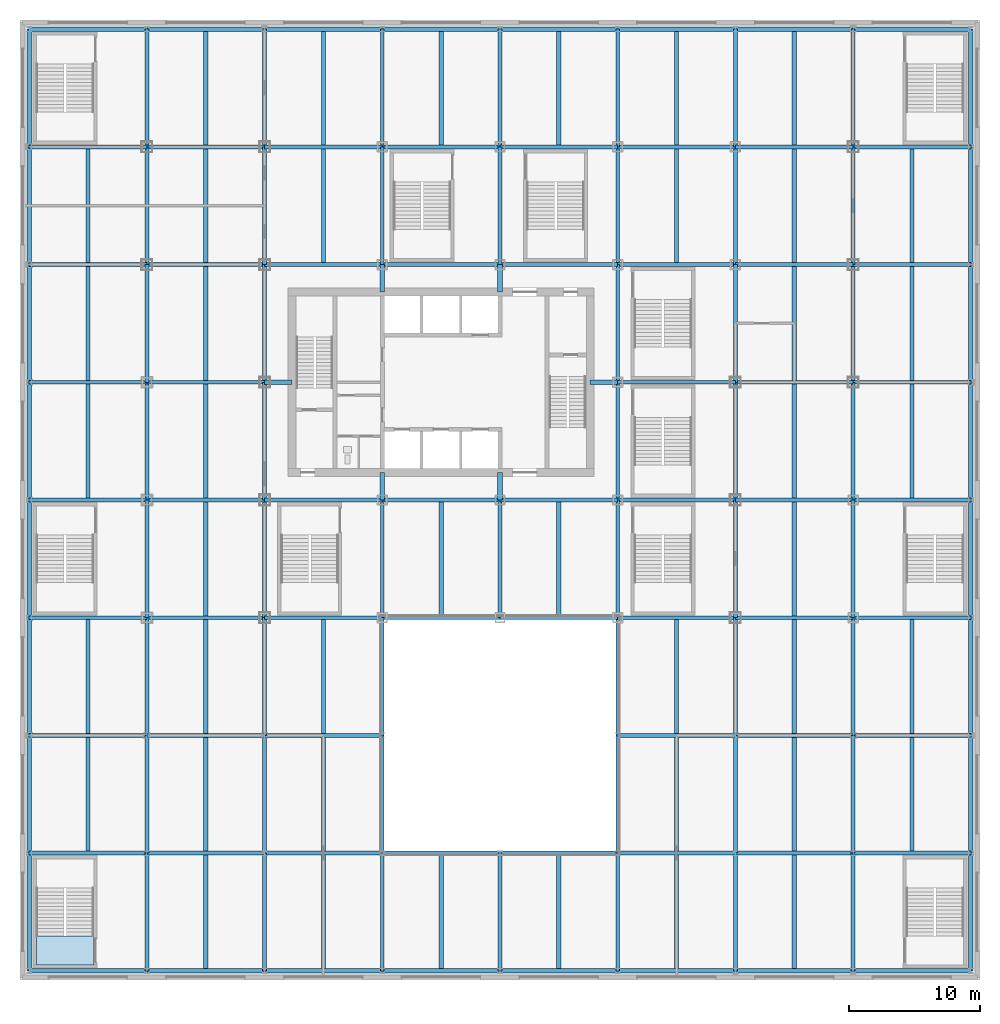
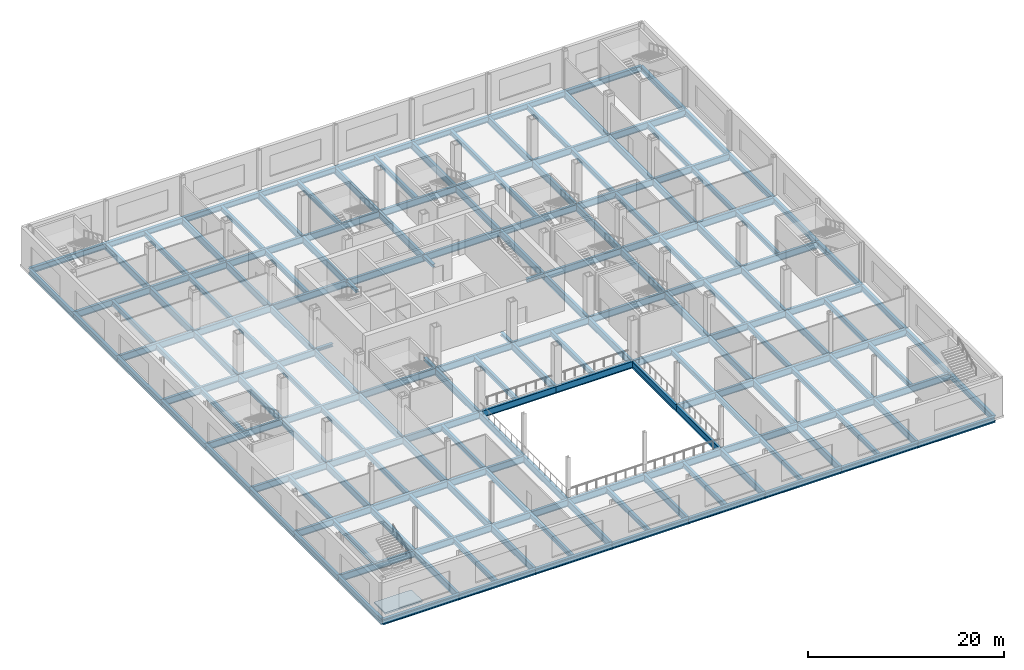
# One storey, part 9 of 28: 175 beams, 6 members, 1 slab, 1 element without a shape of its own.
"""IFC4 building model written with IfcOpenShell, lengths in metres."""

from ifc_helpers import new_model, si_unit, direction, frame, origin, origin_2d, place, context, subcontext, project, spatial, polyline, i_section, outline, extrude, material, layer, layer_set, material_profile, profile_set, type_object, element, aggregate, save


model = new_model("IFC4")

# Units and contexts
model_context = context("Model", 3, precision=1e-05, world=origin(), true_north=direction((0.0, 1.0)))
body_context = subcontext(model_context, "Body", "Model", "MODEL_VIEW")
ifc_project = project(units=[si_unit("LENGTHUNIT", "METRE"), si_unit("AREAUNIT", "SQUARE_METRE"), si_unit("VOLUMEUNIT", "CUBIC_METRE"), si_unit("PLANEANGLEUNIT", "RADIAN"), si_unit("MASSUNIT", "GRAM", prefix="KILO")], contexts=[model_context])

# Site, building, storey
site_placement = place(None, origin())
site = spatial("IfcSite", under=ifc_project, at=site_placement, CompositionType="ELEMENT")
building_placement = place(site_placement, origin())
building = spatial("IfcBuilding", under=site, at=building_placement, Name="Loomwork Tower", CompositionType="ELEMENT")
storey_placement = place(building_placement, frame((0.0, 0.0, 6.0)))
storey = spatial("IfcBuildingStorey", under=building, at=storey_placement, Name="L01", CompositionType="ELEMENT", Elevation=6.0)

# Members
ifc_material_1 = material(Name="Steel ASTM A992", Category="steel")
ifc_material_profile_1 = material_profile(ifc_material_1, i_section(OverallWidth=0.373291015625, OverallDepth=0.373291015625, WebThickness=0.016357421875, FlangeThickness=0.026123046875, at=origin_2d()), Name="W14x132")
ifc_profile_set_1 = profile_set([ifc_material_profile_1], Name="Steel ASTM A992")
member_type = type_object("IfcMemberType", Name="CORE LINK STRUT W14x132", PredefinedType="STRUT", material=ifc_profile_set_1)
for number, where, z_axis, x_axis, name in (
    (1, (36.0, 18.0, -0.436767578125), (-1.0, 0.0, 0.0), (0.0, -1.0, 0.0), "Core link strut F/6-33.900,18.000 L01"),
    (2, (18.0, 9.0, -0.436767578125), (0.0, 1.0, 0.0), (-1.0, 0.0, 0.0), "Core link strut E/4-18.000,11.100 L01"),
    (3, (18.0, 27.0, -0.436767578125), (0.0, -1.0, 0.0), (1.0, 0.0, 0.0), "Core link strut G/4-18.000,24.900 L01"),
    (4, (9.0, 18.0, -0.436767578125), (1.0, 0.0, 0.0), (0.0, 1.0, 0.0), "Core link strut F/3-11.100,18.000 L01"),
    (5, (27.0, 9.0, -0.436767578125), (0.0, 1.0, 0.0), (-1.0, 0.0, 0.0), "Core link strut E/5-27.000,11.100 L01"),
    (6, (27.0, 27.0, -0.436767578125), (0.0, -1.0, 0.0), (1.0, 0.0, 0.0), "Core link strut G/5-27.000,24.900 L01"),
):
    element("IfcMember", number, at=place(storey_placement, frame(where, z_axis=z_axis, x_axis=x_axis)), inside=storey, type_object=member_type, Name=name, PredefinedType="STRUT", context=body_context, shape_type="SweptSolid", body=[
        extrude(i_section(OverallWidth=0.373291015625, OverallDepth=0.373291015625, WebThickness=0.016357421875, FlangeThickness=0.026123046875, at=origin_2d()), origin(), (0.0, 0.0, 1.0), 2.10009765625),
    ])

# Beams
ifc_material_2 = material(Name="Steel ASTM A992", Category="steel")
ifc_material_profile_2 = material_profile(ifc_material_2, i_section(OverallWidth=0.355712890625, OverallDepth=0.696044921875, WebThickness=0.015380859375, FlangeThickness=0.024658203125, at=origin_2d()), Name="W27x146")
ifc_profile_set_2 = profile_set([ifc_material_profile_2], Name="Steel ASTM A992")
beam_type_1 = type_object("IfcBeamType", Name="EDGE GIRDER W27x146", PredefinedType="BEAM", material=ifc_profile_set_2)
for number, where, z_axis, x_axis, name in (
    (7, (-9.0, -27.0, -0.597900390625), (1.0, 0.0, 0.0), (0.0, 1.0, 0.0), "Edge Girder A/1-A/2 L01"),
    (8, (0.0, -27.0, -0.597900390625), (1.0, 0.0, 0.0), (0.0, 1.0, 0.0), "Edge Girder A/2-A/3 L01"),
    (9, (9.0, -27.0, -0.597900390625), (1.0, 0.0, 0.0), (0.0, 1.0, 0.0), "Edge Girder A/3-A/4 L01"),
    (10, (18.0, -27.0, -0.597900390625), (1.0, 0.0, 0.0), (0.0, 1.0, 0.0), "Edge Girder A/4-A/5 L01"),
    (11, (27.0, -27.0, -0.597900390625), (1.0, 0.0, 0.0), (0.0, 1.0, 0.0), "Edge Girder A/5-A/6 L01"),
    (12, (36.0, -27.0, -0.597900390625), (1.0, 0.0, 0.0), (0.0, 1.0, 0.0), "Edge Girder A/6-A/7 L01"),
    (13, (45.0, -27.0, -0.597900390625), (1.0, 0.0, 0.0), (0.0, 1.0, 0.0), "Edge Girder A/7-A/8 L01"),
    (14, (54.0, -27.0, -0.597900390625), (1.0, 0.0, 0.0), (0.0, 1.0, 0.0), "Edge Girder A/8-A/9 L01"),
    (15, (-9.0, 45.0, -0.597900390625), (1.0, 0.0, 0.0), (0.0, 1.0, 0.0), "Edge Girder J/1-J/2 L01"),
    (16, (0.0, 45.0, -0.597900390625), (1.0, 0.0, 0.0), (0.0, 1.0, 0.0), "Edge Girder J/2-J/3 L01"),
    (17, (9.0, 45.0, -0.597900390625), (1.0, 0.0, 0.0), (0.0, 1.0, 0.0), "Edge Girder J/3-J/4 L01"),
    (18, (18.0, 45.0, -0.597900390625), (1.0, 0.0, 0.0), (0.0, 1.0, 0.0), "Edge Girder J/4-J/5 L01"),
    (19, (27.0, 45.0, -0.597900390625), (1.0, 0.0, 0.0), (0.0, 1.0, 0.0), "Edge Girder J/5-J/6 L01"),
    (20, (36.0, 45.0, -0.597900390625), (1.0, 0.0, 0.0), (0.0, 1.0, 0.0), "Edge Girder J/6-J/7 L01"),
    (21, (45.0, 45.0, -0.597900390625), (1.0, 0.0, 0.0), (0.0, 1.0, 0.0), "Edge Girder J/7-J/8 L01"),
    (22, (54.0, 45.0, -0.597900390625), (1.0, 0.0, 0.0), (0.0, 1.0, 0.0), "Edge Girder J/8-J/9 L01"),
    (23, (-9.0, -27.0, -0.597900390625), (0.0, 1.0, 0.0), (-1.0, 0.0, 0.0), "Edge Girder A/1-B/1 L01"),
    (24, (-9.0, -18.0, -0.597900390625), (0.0, 1.0, 0.0), (-1.0, 0.0, 0.0), "Edge Girder B/1-C/1 L01"),
    (25, (-9.0, -9.0, -0.597900390625), (0.0, 1.0, 0.0), (-1.0, 0.0, 0.0), "Edge Girder C/1-D/1 L01"),
    (26, (-9.0, 0.0, -0.597900390625), (0.0, 1.0, 0.0), (-1.0, 0.0, 0.0), "Edge Girder D/1-E/1 L01"),
    (27, (-9.0, 9.0, -0.597900390625), (0.0, 1.0, 0.0), (-1.0, 0.0, 0.0), "Edge Girder E/1-F/1 L01"),
    (28, (-9.0, 18.0, -0.597900390625), (0.0, 1.0, 0.0), (-1.0, 0.0, 0.0), "Edge Girder F/1-G/1 L01"),
    (29, (-9.0, 27.0, -0.597900390625), (0.0, 1.0, 0.0), (-1.0, 0.0, 0.0), "Edge Girder G/1-H/1 L01"),
    (30, (-9.0, 36.0, -0.597900390625), (0.0, 1.0, 0.0), (-1.0, 0.0, 0.0), "Edge Girder H/1-J/1 L01"),
    (31, (63.0, -27.0, -0.597900390625), (0.0, 1.0, 0.0), (-1.0, 0.0, 0.0), "Edge Girder A/9-B/9 L01"),
    (32, (63.0, -18.0, -0.597900390625), (0.0, 1.0, 0.0), (-1.0, 0.0, 0.0), "Edge Girder B/9-C/9 L01"),
    (33, (63.0, -9.0, -0.597900390625), (0.0, 1.0, 0.0), (-1.0, 0.0, 0.0), "Edge Girder C/9-D/9 L01"),
    (34, (63.0, 0.0, -0.597900390625), (0.0, 1.0, 0.0), (-1.0, 0.0, 0.0), "Edge Girder D/9-E/9 L01"),
    (35, (63.0, 9.0, -0.597900390625), (0.0, 1.0, 0.0), (-1.0, 0.0, 0.0), "Edge Girder E/9-F/9 L01"),
    (36, (63.0, 18.0, -0.597900390625), (0.0, 1.0, 0.0), (-1.0, 0.0, 0.0), "Edge Girder F/9-G/9 L01"),
    (37, (63.0, 27.0, -0.597900390625), (0.0, 1.0, 0.0), (-1.0, 0.0, 0.0), "Edge Girder G/9-H/9 L01"),
    (38, (63.0, 36.0, -0.597900390625), (0.0, 1.0, 0.0), (-1.0, 0.0, 0.0), "Edge Girder H/9-J/9 L01"),
):
    element("IfcBeam", number, at=place(storey_placement, frame(where, z_axis=z_axis, x_axis=x_axis)), inside=storey, type_object=beam_type_1, Name=name, PredefinedType="BEAM", context=body_context, shape_type="SweptSolid", body=[
        extrude(i_section(OverallWidth=0.355712890625, OverallDepth=0.696044921875, WebThickness=0.015380859375, FlangeThickness=0.024658203125, at=origin_2d()), origin(), (0.0, 0.0, 1.0), 9.0),
    ])
ifc_material_3 = material(Name="Steel ASTM A992", Category="steel")
ifc_material_profile_3 = material_profile(ifc_material_3, i_section(OverallWidth=0.3251953125, OverallDepth=0.612060546875, WebThickness=0.0126953125, FlangeThickness=0.01904296875, at=origin_2d()), Name="W24x104")
ifc_profile_set_3 = profile_set([ifc_material_profile_3], Name="Steel ASTM A992")
beam_type_2 = type_object("IfcBeamType", Name="FLOOR JOIST W24x104", PredefinedType="JOIST", material=ifc_profile_set_3)
for number, where, z_axis, x_axis, name in (
    (39, (-4.5, -17.85400390625, -0.55615234375), (0.0, 1.0, 0.0), (-1.0, 0.0, 0.0), "Floor Joist -4.500,-18.000--4.500,-9.000 L01"),
    (40, (-4.5, -8.85400390625, -0.55615234375), (0.0, 1.0, 0.0), (-1.0, 0.0, 0.0), "Floor Joist -4.500,-9.000--4.500,0.000 L01"),
    (41, (-4.5, 9.14599609375, -0.55615234375), (0.0, 1.0, 0.0), (-1.0, 0.0, 0.0), "Floor Joist -4.500,9.000--4.500,18.000 L01"),
    (42, (-4.5, 18.14599609375, -0.55615234375), (0.0, 1.0, 0.0), (-1.0, 0.0, 0.0), "Floor Joist -4.500,18.000--4.500,27.000 L01"),
    (43, (-4.5, 27.14599609375, -0.55615234375), (0.0, 1.0, 0.0), (-1.0, 0.0, 0.0), "Floor Joist -4.500,27.000--4.500,36.000 L01"),
):
    element("IfcBeam", number, at=place(storey_placement, frame(where, z_axis=z_axis, x_axis=x_axis)), inside=storey, type_object=beam_type_2, Name=name, PredefinedType="JOIST", context=body_context, shape_type="SweptSolid", body=[
        extrude(i_section(OverallWidth=0.3251953125, OverallDepth=0.612060546875, WebThickness=0.0126953125, FlangeThickness=0.01904296875, at=origin_2d()), origin(), (0.0, 0.0, 1.0), 8.7080078125),
    ])
beam_1_placement = place(storey_placement, frame((4.5, -26.822998046875, -0.55615234375), z_axis=(0.0, 1.0, 0.0), x_axis=(-1.0, 0.0, 0.0)))
element("IfcBeam", 44, at=beam_1_placement, inside=storey, type_object=beam_type_2, Name="Floor Joist 4.500,-27.000-4.500,-18.000 L01", PredefinedType="JOIST", context=body_context, shape_type="SweptSolid", body=[
    extrude(i_section(OverallWidth=0.3251953125, OverallDepth=0.612060546875, WebThickness=0.0126953125, FlangeThickness=0.01904296875, at=origin_2d()), origin(), (0.0, 0.0, 1.0), 8.677001953125),
])
for number, where, z_axis, x_axis, name in (
    (45, (4.5, -17.85400390625, -0.55615234375), (0.0, 1.0, 0.0), (-1.0, 0.0, 0.0), "Floor Joist 4.500,-18.000-4.500,-9.000 L01"),
    (46, (4.5, -8.85400390625, -0.55615234375), (0.0, 1.0, 0.0), (-1.0, 0.0, 0.0), "Floor Joist 4.500,-9.000-4.500,0.000 L01"),
    (47, (4.5, 0.14599609375, -0.55615234375), (0.0, 1.0, 0.0), (-1.0, 0.0, 0.0), "Floor Joist 4.500,0.000-4.500,9.000 L01"),
    (48, (4.5, 9.14599609375, -0.55615234375), (0.0, 1.0, 0.0), (-1.0, 0.0, 0.0), "Floor Joist 4.500,9.000-4.500,18.000 L01"),
    (49, (4.5, 18.14599609375, -0.55615234375), (0.0, 1.0, 0.0), (-1.0, 0.0, 0.0), "Floor Joist 4.500,18.000-4.500,27.000 L01"),
    (50, (4.5, 27.14599609375, -0.55615234375), (0.0, 1.0, 0.0), (-1.0, 0.0, 0.0), "Floor Joist 4.500,27.000-4.500,36.000 L01"),
):
    element("IfcBeam", number, at=place(storey_placement, frame(where, z_axis=z_axis, x_axis=x_axis)), inside=storey, type_object=beam_type_2, Name=name, PredefinedType="JOIST", context=body_context, shape_type="SweptSolid", body=[
        extrude(i_section(OverallWidth=0.3251953125, OverallDepth=0.612060546875, WebThickness=0.0126953125, FlangeThickness=0.01904296875, at=origin_2d()), origin(), (0.0, 0.0, 1.0), 8.7080078125),
    ])
for number, where, z_axis, x_axis, name in (
    (51, (4.5, 36.14599609375, -0.55615234375), (0.0, 1.0, 0.0), (-1.0, 0.0, 0.0), "Floor Joist 4.500,36.000-4.500,45.000 L01"),
    (52, (13.5, -26.822998046875, -0.55615234375), (0.0, 1.0, 0.0), (-1.0, 0.0, 0.0), "Floor Joist 13.500,-27.000-13.500,-18.000 L01"),
):
    element("IfcBeam", number, at=place(storey_placement, frame(where, z_axis=z_axis, x_axis=x_axis)), inside=storey, type_object=beam_type_2, Name=name, PredefinedType="JOIST", context=body_context, shape_type="SweptSolid", body=[
        extrude(i_section(OverallWidth=0.3251953125, OverallDepth=0.612060546875, WebThickness=0.0126953125, FlangeThickness=0.01904296875, at=origin_2d()), origin(), (0.0, 0.0, 1.0), 8.677001953125),
    ])
for number, where, z_axis, x_axis, name in (
    (53, (13.5, -17.85400390625, -0.55615234375), (0.0, 1.0, 0.0), (-1.0, 0.0, 0.0), "Floor Joist 13.500,-18.000-13.500,-9.000 L01"),
    (54, (13.5, -8.85400390625, -0.55615234375), (0.0, 1.0, 0.0), (-1.0, 0.0, 0.0), "Floor Joist 13.500,-9.000-13.500,0.000 L01"),
    (55, (13.5, 27.14599609375, -0.55615234375), (0.0, 1.0, 0.0), (-1.0, 0.0, 0.0), "Floor Joist 13.500,27.000-13.500,36.000 L01"),
):
    element("IfcBeam", number, at=place(storey_placement, frame(where, z_axis=z_axis, x_axis=x_axis)), inside=storey, type_object=beam_type_2, Name=name, PredefinedType="JOIST", context=body_context, shape_type="SweptSolid", body=[
        extrude(i_section(OverallWidth=0.3251953125, OverallDepth=0.612060546875, WebThickness=0.0126953125, FlangeThickness=0.01904296875, at=origin_2d()), origin(), (0.0, 0.0, 1.0), 8.7080078125),
    ])
for number, where, z_axis, x_axis, name in (
    (56, (13.5, 36.14599609375, -0.55615234375), (0.0, 1.0, 0.0), (-1.0, 0.0, 0.0), "Floor Joist 13.500,36.000-13.500,45.000 L01"),
    (57, (22.5, -26.822998046875, -0.55615234375), (0.0, 1.0, 0.0), (-1.0, 0.0, 0.0), "Floor Joist 22.500,-27.000-22.500,-18.000 L01"),
):
    element("IfcBeam", number, at=place(storey_placement, frame(where, z_axis=z_axis, x_axis=x_axis)), inside=storey, type_object=beam_type_2, Name=name, PredefinedType="JOIST", context=body_context, shape_type="SweptSolid", body=[
        extrude(i_section(OverallWidth=0.3251953125, OverallDepth=0.612060546875, WebThickness=0.0126953125, FlangeThickness=0.01904296875, at=origin_2d()), origin(), (0.0, 0.0, 1.0), 8.677001953125),
    ])
beam_2_placement = place(storey_placement, frame((22.5, 0.14599609375, -0.55615234375), z_axis=(0.0, 1.0, 0.0), x_axis=(-1.0, 0.0, 0.0)))
element("IfcBeam", 58, at=beam_2_placement, inside=storey, type_object=beam_type_2, Name="Floor Joist 22.500,0.000-22.500,9.000 L01", PredefinedType="JOIST", context=body_context, shape_type="SweptSolid", body=[
    extrude(i_section(OverallWidth=0.3251953125, OverallDepth=0.612060546875, WebThickness=0.0126953125, FlangeThickness=0.01904296875, at=origin_2d()), origin(), (0.0, 0.0, 1.0), 8.7080078125),
])
for number, where, z_axis, x_axis, name in (
    (59, (22.5, 36.14599609375, -0.55615234375), (0.0, 1.0, 0.0), (-1.0, 0.0, 0.0), "Floor Joist 22.500,36.000-22.500,45.000 L01"),
    (60, (31.5, -26.822998046875, -0.55615234375), (0.0, 1.0, 0.0), (-1.0, 0.0, 0.0), "Floor Joist 31.500,-27.000-31.500,-18.000 L01"),
):
    element("IfcBeam", number, at=place(storey_placement, frame(where, z_axis=z_axis, x_axis=x_axis)), inside=storey, type_object=beam_type_2, Name=name, PredefinedType="JOIST", context=body_context, shape_type="SweptSolid", body=[
        extrude(i_section(OverallWidth=0.3251953125, OverallDepth=0.612060546875, WebThickness=0.0126953125, FlangeThickness=0.01904296875, at=origin_2d()), origin(), (0.0, 0.0, 1.0), 8.677001953125),
    ])
beam_3_placement = place(storey_placement, frame((31.5, 0.14599609375, -0.55615234375), z_axis=(0.0, 1.0, 0.0), x_axis=(-1.0, 0.0, 0.0)))
element("IfcBeam", 61, at=beam_3_placement, inside=storey, type_object=beam_type_2, Name="Floor Joist 31.500,0.000-31.500,9.000 L01", PredefinedType="JOIST", context=body_context, shape_type="SweptSolid", body=[
    extrude(i_section(OverallWidth=0.3251953125, OverallDepth=0.612060546875, WebThickness=0.0126953125, FlangeThickness=0.01904296875, at=origin_2d()), origin(), (0.0, 0.0, 1.0), 8.7080078125),
])
for number, where, z_axis, x_axis, name in (
    (62, (31.5, 36.14599609375, -0.55615234375), (0.0, 1.0, 0.0), (-1.0, 0.0, 0.0), "Floor Joist 31.500,36.000-31.500,45.000 L01"),
    (63, (40.5, -26.822998046875, -0.55615234375), (0.0, 1.0, 0.0), (-1.0, 0.0, 0.0), "Floor Joist 40.500,-27.000-40.500,-18.000 L01"),
):
    element("IfcBeam", number, at=place(storey_placement, frame(where, z_axis=z_axis, x_axis=x_axis)), inside=storey, type_object=beam_type_2, Name=name, PredefinedType="JOIST", context=body_context, shape_type="SweptSolid", body=[
        extrude(i_section(OverallWidth=0.3251953125, OverallDepth=0.612060546875, WebThickness=0.0126953125, FlangeThickness=0.01904296875, at=origin_2d()), origin(), (0.0, 0.0, 1.0), 8.677001953125),
    ])
for number, where, z_axis, x_axis, name in (
    (64, (40.5, -17.85400390625, -0.55615234375), (0.0, 1.0, 0.0), (-1.0, 0.0, 0.0), "Floor Joist 40.500,-18.000-40.500,-9.000 L01"),
    (65, (40.5, -8.85400390625, -0.55615234375), (0.0, 1.0, 0.0), (-1.0, 0.0, 0.0), "Floor Joist 40.500,-9.000-40.500,0.000 L01"),
    (66, (40.5, 27.14599609375, -0.55615234375), (0.0, 1.0, 0.0), (-1.0, 0.0, 0.0), "Floor Joist 40.500,27.000-40.500,36.000 L01"),
):
    element("IfcBeam", number, at=place(storey_placement, frame(where, z_axis=z_axis, x_axis=x_axis)), inside=storey, type_object=beam_type_2, Name=name, PredefinedType="JOIST", context=body_context, shape_type="SweptSolid", body=[
        extrude(i_section(OverallWidth=0.3251953125, OverallDepth=0.612060546875, WebThickness=0.0126953125, FlangeThickness=0.01904296875, at=origin_2d()), origin(), (0.0, 0.0, 1.0), 8.7080078125),
    ])
for number, where, z_axis, x_axis, name in (
    (67, (40.5, 36.14599609375, -0.55615234375), (0.0, 1.0, 0.0), (-1.0, 0.0, 0.0), "Floor Joist 40.500,36.000-40.500,45.000 L01"),
    (68, (49.5, -26.822998046875, -0.55615234375), (0.0, 1.0, 0.0), (-1.0, 0.0, 0.0), "Floor Joist 49.500,-27.000-49.500,-18.000 L01"),
):
    element("IfcBeam", number, at=place(storey_placement, frame(where, z_axis=z_axis, x_axis=x_axis)), inside=storey, type_object=beam_type_2, Name=name, PredefinedType="JOIST", context=body_context, shape_type="SweptSolid", body=[
        extrude(i_section(OverallWidth=0.3251953125, OverallDepth=0.612060546875, WebThickness=0.0126953125, FlangeThickness=0.01904296875, at=origin_2d()), origin(), (0.0, 0.0, 1.0), 8.677001953125),
    ])
for number, where, z_axis, x_axis, name in (
    (69, (49.5, -17.85400390625, -0.55615234375), (0.0, 1.0, 0.0), (-1.0, 0.0, 0.0), "Floor Joist 49.500,-18.000-49.500,-9.000 L01"),
    (70, (49.5, -8.85400390625, -0.55615234375), (0.0, 1.0, 0.0), (-1.0, 0.0, 0.0), "Floor Joist 49.500,-9.000-49.500,0.000 L01"),
    (71, (49.5, 0.14599609375, -0.55615234375), (0.0, 1.0, 0.0), (-1.0, 0.0, 0.0), "Floor Joist 49.500,0.000-49.500,9.000 L01"),
    (72, (49.5, 9.14599609375, -0.55615234375), (0.0, 1.0, 0.0), (-1.0, 0.0, 0.0), "Floor Joist 49.500,9.000-49.500,18.000 L01"),
    (73, (49.5, 18.14599609375, -0.55615234375), (0.0, 1.0, 0.0), (-1.0, 0.0, 0.0), "Floor Joist 49.500,18.000-49.500,27.000 L01"),
    (74, (49.5, 27.14599609375, -0.55615234375), (0.0, 1.0, 0.0), (-1.0, 0.0, 0.0), "Floor Joist 49.500,27.000-49.500,36.000 L01"),
):
    element("IfcBeam", number, at=place(storey_placement, frame(where, z_axis=z_axis, x_axis=x_axis)), inside=storey, type_object=beam_type_2, Name=name, PredefinedType="JOIST", context=body_context, shape_type="SweptSolid", body=[
        extrude(i_section(OverallWidth=0.3251953125, OverallDepth=0.612060546875, WebThickness=0.0126953125, FlangeThickness=0.01904296875, at=origin_2d()), origin(), (0.0, 0.0, 1.0), 8.7080078125),
    ])
beam_4_placement = place(storey_placement, frame((49.5, 36.14599609375, -0.55615234375), z_axis=(0.0, 1.0, 0.0), x_axis=(-1.0, 0.0, 0.0)))
element("IfcBeam", 75, at=beam_4_placement, inside=storey, type_object=beam_type_2, Name="Floor Joist 49.500,36.000-49.500,45.000 L01", PredefinedType="JOIST", context=body_context, shape_type="SweptSolid", body=[
    extrude(i_section(OverallWidth=0.3251953125, OverallDepth=0.612060546875, WebThickness=0.0126953125, FlangeThickness=0.01904296875, at=origin_2d()), origin(), (0.0, 0.0, 1.0), 8.677001953125),
])
for number, where, z_axis, x_axis, name in (
    (76, (58.5, -17.85400390625, -0.55615234375), (0.0, 1.0, 0.0), (-1.0, 0.0, 0.0), "Floor Joist 58.500,-18.000-58.500,-9.000 L01"),
    (77, (58.5, -8.85400390625, -0.55615234375), (0.0, 1.0, 0.0), (-1.0, 0.0, 0.0), "Floor Joist 58.500,-9.000-58.500,0.000 L01"),
    (78, (58.5, 9.14599609375, -0.55615234375), (0.0, 1.0, 0.0), (-1.0, 0.0, 0.0), "Floor Joist 58.500,9.000-58.500,18.000 L01"),
    (79, (58.5, 18.14599609375, -0.55615234375), (0.0, 1.0, 0.0), (-1.0, 0.0, 0.0), "Floor Joist 58.500,18.000-58.500,27.000 L01"),
    (80, (58.5, 27.14599609375, -0.55615234375), (0.0, 1.0, 0.0), (-1.0, 0.0, 0.0), "Floor Joist 58.500,27.000-58.500,36.000 L01"),
):
    element("IfcBeam", number, at=place(storey_placement, frame(where, z_axis=z_axis, x_axis=x_axis)), inside=storey, type_object=beam_type_2, Name=name, PredefinedType="JOIST", context=body_context, shape_type="SweptSolid", body=[
        extrude(i_section(OverallWidth=0.3251953125, OverallDepth=0.612060546875, WebThickness=0.0126953125, FlangeThickness=0.01904296875, at=origin_2d()), origin(), (0.0, 0.0, 1.0), 8.7080078125),
    ])
ifc_material_4 = material(Name="Steel ASTM A992", Category="steel")
ifc_material_profile_4 = material_profile(ifc_material_4, i_section(OverallWidth=0.2919921875, OverallDepth=0.8583984375, WebThickness=0.01708984375, FlangeThickness=0.031005859375, at=origin_2d()), Name="W33x169")
ifc_profile_set_4 = profile_set([ifc_material_profile_4], Name="Steel ASTM A992")
beam_type_3 = type_object("IfcBeamType", Name="PODIUM GIRDER W33x169", PredefinedType="BEAM", material=ifc_profile_set_4)
for number, where, z_axis, x_axis, name in (
    (81, (-9.0, -18.0, -0.67919921875), (1.0, 0.0, 0.0), (0.0, 1.0, 0.0), "Podium Girder B/1-B/2 L01"),
    (82, (0.0, -18.0, -0.67919921875), (1.0, 0.0, 0.0), (0.0, 1.0, 0.0), "Podium Girder B/2-B/3 L01"),
    (83, (9.0, -18.0, -0.67919921875), (1.0, 0.0, 0.0), (0.0, 1.0, 0.0), "Podium Girder B/3-B/4 L01"),
    (84, (18.0, -18.0, -0.67919921875), (1.0, 0.0, 0.0), (0.0, 1.0, 0.0), "Podium Girder B/4-B/5 L01"),
    (85, (27.0, -18.0, -0.67919921875), (1.0, 0.0, 0.0), (0.0, 1.0, 0.0), "Podium Girder B/5-B/6 L01"),
    (86, (36.0, -18.0, -0.67919921875), (1.0, 0.0, 0.0), (0.0, 1.0, 0.0), "Podium Girder B/6-B/7 L01"),
    (87, (45.0, -18.0, -0.67919921875), (1.0, 0.0, 0.0), (0.0, 1.0, 0.0), "Podium Girder B/7-B/8 L01"),
    (88, (54.0, -18.0, -0.67919921875), (1.0, 0.0, 0.0), (0.0, 1.0, 0.0), "Podium Girder B/8-B/9 L01"),
    (89, (-9.0, -9.0, -0.67919921875), (1.0, 0.0, 0.0), (0.0, 1.0, 0.0), "Podium Girder C/1-C/2 L01"),
    (90, (0.0, -9.0, -0.67919921875), (1.0, 0.0, 0.0), (0.0, 1.0, 0.0), "Podium Girder C/2-C/3 L01"),
    (91, (9.0, -9.0, -0.67919921875), (1.0, 0.0, 0.0), (0.0, 1.0, 0.0), "Podium Girder C/3-C/4 L01"),
    (92, (36.0, -9.0, -0.67919921875), (1.0, 0.0, 0.0), (0.0, 1.0, 0.0), "Podium Girder C/6-C/7 L01"),
    (93, (45.0, -9.0, -0.67919921875), (1.0, 0.0, 0.0), (0.0, 1.0, 0.0), "Podium Girder C/7-C/8 L01"),
    (94, (54.0, -9.0, -0.67919921875), (1.0, 0.0, 0.0), (0.0, 1.0, 0.0), "Podium Girder C/8-C/9 L01"),
    (95, (-9.0, 0.0, -0.67919921875), (1.0, 0.0, 0.0), (0.0, 1.0, 0.0), "Podium Girder D/1-D/2 L01"),
    (96, (0.0, 0.0, -0.67919921875), (1.0, 0.0, 0.0), (0.0, 1.0, 0.0), "Podium Girder D/2-D/3 L01"),
    (97, (9.0, 0.0, -0.67919921875), (1.0, 0.0, 0.0), (0.0, 1.0, 0.0), "Podium Girder D/3-D/4 L01"),
    (98, (18.0, 0.0, -0.67919921875), (1.0, 0.0, 0.0), (0.0, 1.0, 0.0), "Podium Girder D/4-D/5 L01"),
    (99, (27.0, 0.0, -0.67919921875), (1.0, 0.0, 0.0), (0.0, 1.0, 0.0), "Podium Girder D/5-D/6 L01"),
    (100, (36.0, 0.0, -0.67919921875), (1.0, 0.0, 0.0), (0.0, 1.0, 0.0), "Podium Girder D/6-D/7 L01"),
    (101, (45.0, 0.0, -0.67919921875), (1.0, 0.0, 0.0), (0.0, 1.0, 0.0), "Podium Girder D/7-D/8 L01"),
    (102, (54.0, 0.0, -0.67919921875), (1.0, 0.0, 0.0), (0.0, 1.0, 0.0), "Podium Girder D/8-D/9 L01"),
    (103, (-9.0, 9.0, -0.67919921875), (1.0, 0.0, 0.0), (0.0, 1.0, 0.0), "Podium Girder E/1-E/2 L01"),
    (104, (0.0, 9.0, -0.67919921875), (1.0, 0.0, 0.0), (0.0, 1.0, 0.0), "Podium Girder E/2-E/3 L01"),
    (105, (9.0, 9.0, -0.67919921875), (1.0, 0.0, 0.0), (0.0, 1.0, 0.0), "Podium Girder E/3-E/4 L01"),
    (106, (18.0, 9.0, -0.67919921875), (1.0, 0.0, 0.0), (0.0, 1.0, 0.0), "Podium Girder E/4-E/5 L01"),
    (107, (27.0, 9.0, -0.67919921875), (1.0, 0.0, 0.0), (0.0, 1.0, 0.0), "Podium Girder E/5-E/6 L01"),
    (108, (36.0, 9.0, -0.67919921875), (1.0, 0.0, 0.0), (0.0, 1.0, 0.0), "Podium Girder E/6-E/7 L01"),
    (109, (45.0, 9.0, -0.67919921875), (1.0, 0.0, 0.0), (0.0, 1.0, 0.0), "Podium Girder E/7-E/8 L01"),
    (110, (54.0, 9.0, -0.67919921875), (1.0, 0.0, 0.0), (0.0, 1.0, 0.0), "Podium Girder E/8-E/9 L01"),
    (111, (-9.0, 18.0, -0.67919921875), (1.0, 0.0, 0.0), (0.0, 1.0, 0.0), "Podium Girder F/1-F/2 L01"),
    (112, (0.0, 18.0, -0.67919921875), (1.0, 0.0, 0.0), (0.0, 1.0, 0.0), "Podium Girder F/2-F/3 L01"),
    (113, (36.0, 18.0, -0.67919921875), (1.0, 0.0, 0.0), (0.0, 1.0, 0.0), "Podium Girder F/6-F/7 L01"),
    (114, (45.0, 18.0, -0.67919921875), (1.0, 0.0, 0.0), (0.0, 1.0, 0.0), "Podium Girder F/7-F/8 L01"),
    (115, (54.0, 18.0, -0.67919921875), (1.0, 0.0, 0.0), (0.0, 1.0, 0.0), "Podium Girder F/8-F/9 L01"),
    (116, (-9.0, 27.0, -0.67919921875), (1.0, 0.0, 0.0), (0.0, 1.0, 0.0), "Podium Girder G/1-G/2 L01"),
    (117, (0.0, 27.0, -0.67919921875), (1.0, 0.0, 0.0), (0.0, 1.0, 0.0), "Podium Girder G/2-G/3 L01"),
    (118, (9.0, 27.0, -0.67919921875), (1.0, 0.0, 0.0), (0.0, 1.0, 0.0), "Podium Girder G/3-G/4 L01"),
    (119, (18.0, 27.0, -0.67919921875), (1.0, 0.0, 0.0), (0.0, 1.0, 0.0), "Podium Girder G/4-G/5 L01"),
    (120, (27.0, 27.0, -0.67919921875), (1.0, 0.0, 0.0), (0.0, 1.0, 0.0), "Podium Girder G/5-G/6 L01"),
    (121, (36.0, 27.0, -0.67919921875), (1.0, 0.0, 0.0), (0.0, 1.0, 0.0), "Podium Girder G/6-G/7 L01"),
    (122, (45.0, 27.0, -0.67919921875), (1.0, 0.0, 0.0), (0.0, 1.0, 0.0), "Podium Girder G/7-G/8 L01"),
    (123, (54.0, 27.0, -0.67919921875), (1.0, 0.0, 0.0), (0.0, 1.0, 0.0), "Podium Girder G/8-G/9 L01"),
    (124, (-9.0, 36.0, -0.67919921875), (1.0, 0.0, 0.0), (0.0, 1.0, 0.0), "Podium Girder H/1-H/2 L01"),
    (125, (0.0, 36.0, -0.67919921875), (1.0, 0.0, 0.0), (0.0, 1.0, 0.0), "Podium Girder H/2-H/3 L01"),
    (126, (9.0, 36.0, -0.67919921875), (1.0, 0.0, 0.0), (0.0, 1.0, 0.0), "Podium Girder H/3-H/4 L01"),
    (127, (18.0, 36.0, -0.67919921875), (1.0, 0.0, 0.0), (0.0, 1.0, 0.0), "Podium Girder H/4-H/5 L01"),
    (128, (27.0, 36.0, -0.67919921875), (1.0, 0.0, 0.0), (0.0, 1.0, 0.0), "Podium Girder H/5-H/6 L01"),
    (129, (36.0, 36.0, -0.67919921875), (1.0, 0.0, 0.0), (0.0, 1.0, 0.0), "Podium Girder H/6-H/7 L01"),
    (130, (45.0, 36.0, -0.67919921875), (1.0, 0.0, 0.0), (0.0, 1.0, 0.0), "Podium Girder H/7-H/8 L01"),
    (131, (54.0, 36.0, -0.67919921875), (1.0, 0.0, 0.0), (0.0, 1.0, 0.0), "Podium Girder H/8-H/9 L01"),
    (132, (0.0, -27.0, -0.67919921875), (0.0, 1.0, 0.0), (-1.0, 0.0, 0.0), "Podium Girder A/2-B/2 L01"),
    (133, (0.0, -18.0, -0.67919921875), (0.0, 1.0, 0.0), (-1.0, 0.0, 0.0), "Podium Girder B/2-C/2 L01"),
    (134, (0.0, -9.0, -0.67919921875), (0.0, 1.0, 0.0), (-1.0, 0.0, 0.0), "Podium Girder C/2-D/2 L01"),
    (135, (0.0, 0.0, -0.67919921875), (0.0, 1.0, 0.0), (-1.0, 0.0, 0.0), "Podium Girder D/2-E/2 L01"),
    (136, (0.0, 9.0, -0.67919921875), (0.0, 1.0, 0.0), (-1.0, 0.0, 0.0), "Podium Girder E/2-F/2 L01"),
    (137, (0.0, 18.0, -0.67919921875), (0.0, 1.0, 0.0), (-1.0, 0.0, 0.0), "Podium Girder F/2-G/2 L01"),
    (138, (0.0, 27.0, -0.67919921875), (0.0, 1.0, 0.0), (-1.0, 0.0, 0.0), "Podium Girder G/2-H/2 L01"),
    (139, (0.0, 36.0, -0.67919921875), (0.0, 1.0, 0.0), (-1.0, 0.0, 0.0), "Podium Girder H/2-J/2 L01"),
    (140, (9.0, -27.0, -0.67919921875), (0.0, 1.0, 0.0), (-1.0, 0.0, 0.0), "Podium Girder A/3-B/3 L01"),
    (141, (9.0, -18.0, -0.67919921875), (0.0, 1.0, 0.0), (-1.0, 0.0, 0.0), "Podium Girder B/3-C/3 L01"),
    (142, (9.0, -9.0, -0.67919921875), (0.0, 1.0, 0.0), (-1.0, 0.0, 0.0), "Podium Girder C/3-D/3 L01"),
    (143, (9.0, 0.0, -0.67919921875), (0.0, 1.0, 0.0), (-1.0, 0.0, 0.0), "Podium Girder D/3-E/3 L01"),
    (144, (9.0, 9.0, -0.67919921875), (0.0, 1.0, 0.0), (-1.0, 0.0, 0.0), "Podium Girder E/3-F/3 L01"),
    (145, (9.0, 18.0, -0.67919921875), (0.0, 1.0, 0.0), (-1.0, 0.0, 0.0), "Podium Girder F/3-G/3 L01"),
    (146, (9.0, 27.0, -0.67919921875), (0.0, 1.0, 0.0), (-1.0, 0.0, 0.0), "Podium Girder G/3-H/3 L01"),
    (147, (9.0, 36.0, -0.67919921875), (0.0, 1.0, 0.0), (-1.0, 0.0, 0.0), "Podium Girder H/3-J/3 L01"),
    (148, (18.0, -27.0, -0.67919921875), (0.0, 1.0, 0.0), (-1.0, 0.0, 0.0), "Podium Girder A/4-B/4 L01"),
    (149, (18.0, -18.0, -0.67919921875), (0.0, 1.0, 0.0), (-1.0, 0.0, 0.0), "Podium Girder B/4-C/4 L01"),
    (150, (18.0, -9.0, -0.67919921875), (0.0, 1.0, 0.0), (-1.0, 0.0, 0.0), "Podium Girder C/4-D/4 L01"),
    (151, (18.0, 0.0, -0.67919921875), (0.0, 1.0, 0.0), (-1.0, 0.0, 0.0), "Podium Girder D/4-E/4 L01"),
    (152, (18.0, 27.0, -0.67919921875), (0.0, 1.0, 0.0), (-1.0, 0.0, 0.0), "Podium Girder G/4-H/4 L01"),
    (153, (18.0, 36.0, -0.67919921875), (0.0, 1.0, 0.0), (-1.0, 0.0, 0.0), "Podium Girder H/4-J/4 L01"),
    (154, (27.0, -27.0, -0.67919921875), (0.0, 1.0, 0.0), (-1.0, 0.0, 0.0), "Podium Girder A/5-B/5 L01"),
    (155, (27.0, 0.0, -0.67919921875), (0.0, 1.0, 0.0), (-1.0, 0.0, 0.0), "Podium Girder D/5-E/5 L01"),
    (156, (27.0, 27.0, -0.67919921875), (0.0, 1.0, 0.0), (-1.0, 0.0, 0.0), "Podium Girder G/5-H/5 L01"),
    (157, (27.0, 36.0, -0.67919921875), (0.0, 1.0, 0.0), (-1.0, 0.0, 0.0), "Podium Girder H/5-J/5 L01"),
    (158, (36.0, -27.0, -0.67919921875), (0.0, 1.0, 0.0), (-1.0, 0.0, 0.0), "Podium Girder A/6-B/6 L01"),
    (159, (36.0, -18.0, -0.67919921875), (0.0, 1.0, 0.0), (-1.0, 0.0, 0.0), "Podium Girder B/6-C/6 L01"),
    (160, (36.0, -9.0, -0.67919921875), (0.0, 1.0, 0.0), (-1.0, 0.0, 0.0), "Podium Girder C/6-D/6 L01"),
    (161, (36.0, 0.0, -0.67919921875), (0.0, 1.0, 0.0), (-1.0, 0.0, 0.0), "Podium Girder D/6-E/6 L01"),
    (162, (36.0, 9.0, -0.67919921875), (0.0, 1.0, 0.0), (-1.0, 0.0, 0.0), "Podium Girder E/6-F/6 L01"),
    (163, (36.0, 18.0, -0.67919921875), (0.0, 1.0, 0.0), (-1.0, 0.0, 0.0), "Podium Girder F/6-G/6 L01"),
    (164, (36.0, 27.0, -0.67919921875), (0.0, 1.0, 0.0), (-1.0, 0.0, 0.0), "Podium Girder G/6-H/6 L01"),
    (165, (36.0, 36.0, -0.67919921875), (0.0, 1.0, 0.0), (-1.0, 0.0, 0.0), "Podium Girder H/6-J/6 L01"),
    (166, (45.0, -27.0, -0.67919921875), (0.0, 1.0, 0.0), (-1.0, 0.0, 0.0), "Podium Girder A/7-B/7 L01"),
    (167, (45.0, -18.0, -0.67919921875), (0.0, 1.0, 0.0), (-1.0, 0.0, 0.0), "Podium Girder B/7-C/7 L01"),
    (168, (45.0, -9.0, -0.67919921875), (0.0, 1.0, 0.0), (-1.0, 0.0, 0.0), "Podium Girder C/7-D/7 L01"),
    (169, (45.0, 0.0, -0.67919921875), (0.0, 1.0, 0.0), (-1.0, 0.0, 0.0), "Podium Girder D/7-E/7 L01"),
    (170, (45.0, 9.0, -0.67919921875), (0.0, 1.0, 0.0), (-1.0, 0.0, 0.0), "Podium Girder E/7-F/7 L01"),
    (171, (45.0, 18.0, -0.67919921875), (0.0, 1.0, 0.0), (-1.0, 0.0, 0.0), "Podium Girder F/7-G/7 L01"),
    (172, (45.0, 27.0, -0.67919921875), (0.0, 1.0, 0.0), (-1.0, 0.0, 0.0), "Podium Girder G/7-H/7 L01"),
    (173, (45.0, 36.0, -0.67919921875), (0.0, 1.0, 0.0), (-1.0, 0.0, 0.0), "Podium Girder H/7-J/7 L01"),
    (174, (54.0, -27.0, -0.67919921875), (0.0, 1.0, 0.0), (-1.0, 0.0, 0.0), "Podium Girder A/8-B/8 L01"),
    (175, (54.0, -18.0, -0.67919921875), (0.0, 1.0, 0.0), (-1.0, 0.0, 0.0), "Podium Girder B/8-C/8 L01"),
    (176, (54.0, -9.0, -0.67919921875), (0.0, 1.0, 0.0), (-1.0, 0.0, 0.0), "Podium Girder C/8-D/8 L01"),
    (177, (54.0, 0.0, -0.67919921875), (0.0, 1.0, 0.0), (-1.0, 0.0, 0.0), "Podium Girder D/8-E/8 L01"),
    (178, (54.0, 9.0, -0.67919921875), (0.0, 1.0, 0.0), (-1.0, 0.0, 0.0), "Podium Girder E/8-F/8 L01"),
    (179, (54.0, 18.0, -0.67919921875), (0.0, 1.0, 0.0), (-1.0, 0.0, 0.0), "Podium Girder F/8-G/8 L01"),
    (180, (54.0, 27.0, -0.67919921875), (0.0, 1.0, 0.0), (-1.0, 0.0, 0.0), "Podium Girder G/8-H/8 L01"),
    (181, (54.0, 36.0, -0.67919921875), (0.0, 1.0, 0.0), (-1.0, 0.0, 0.0), "Podium Girder H/8-J/8 L01"),
):
    element("IfcBeam", number, at=place(storey_placement, frame(where, z_axis=z_axis, x_axis=x_axis)), inside=storey, type_object=beam_type_3, Name=name, PredefinedType="BEAM", context=body_context, shape_type="SweptSolid", body=[
        extrude(i_section(OverallWidth=0.2919921875, OverallDepth=0.8583984375, WebThickness=0.01708984375, FlangeThickness=0.031005859375, at=origin_2d()), origin(), (0.0, 0.0, 1.0), 9.0),
    ])

# Stair, slab
ifc_material_5 = material(Name="Concrete 5000 psi (34 MPa) precast stair", Category="concrete")
stair_type = type_object("IfcStairType", Name="Stair ST-S1P 42 risers of 119 4400 wide", PredefinedType="HALF_TURN_STAIR", material=ifc_material_5)
stair_placement = place(storey_placement, origin())
stair = element("IfcStair", 182, at=stair_placement, inside=storey, type_object=stair_type, Name="Podium stair PS1 L01", PredefinedType="HALF_TURN_STAIR")
ifc_material_6 = material(Name="Concrete 5000 psi (34 MPa)", Category="concrete")
ifc_layer = layer(ifc_material_6, 0.199951171875)
ifc_layer_set = layer_set([ifc_layer], Name="Stair landing 200")
slab_type = type_object("IfcSlabType", Name="Stair landing 200", PredefinedType="LANDING", material=ifc_layer_set)
slab_placement = place(storey_placement, frame((0.0, 0.0, -0.199951171875)))
slab = element("IfcSlab", 183, at=slab_placement, type_object=slab_type, Name="ST-S1P landing 1", PredefinedType="LANDING", context=body_context, shape_type="SweptSolid", body=[
    extrude(outline(polyline([(-8.449951171875, -26.550048828125), (-4.050048828125, -26.550048828125), (-4.050048828125, -24.320068359375), (-8.449951171875, -24.320068359375), (-8.449951171875, -26.550048828125)])), origin(), (0.0, 0.0, 1.0), 0.199951171875),
])
aggregate(stair, [slab])

save(model, "model.ifc")
